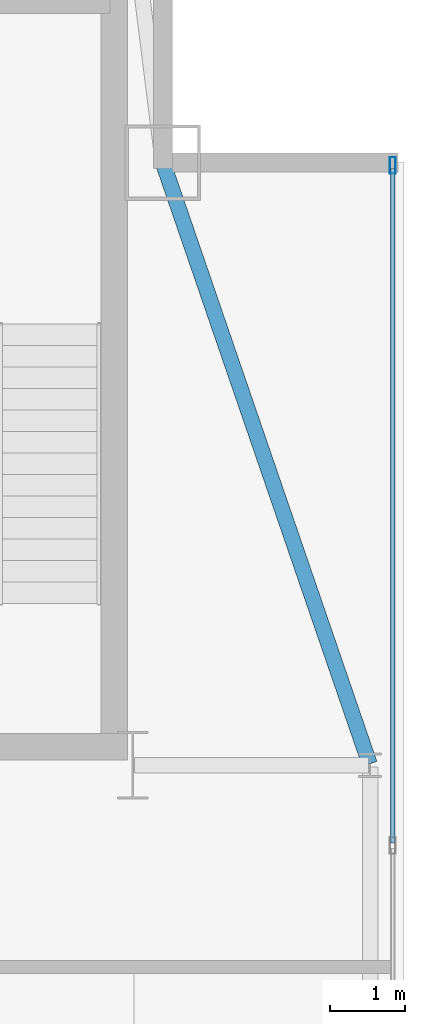
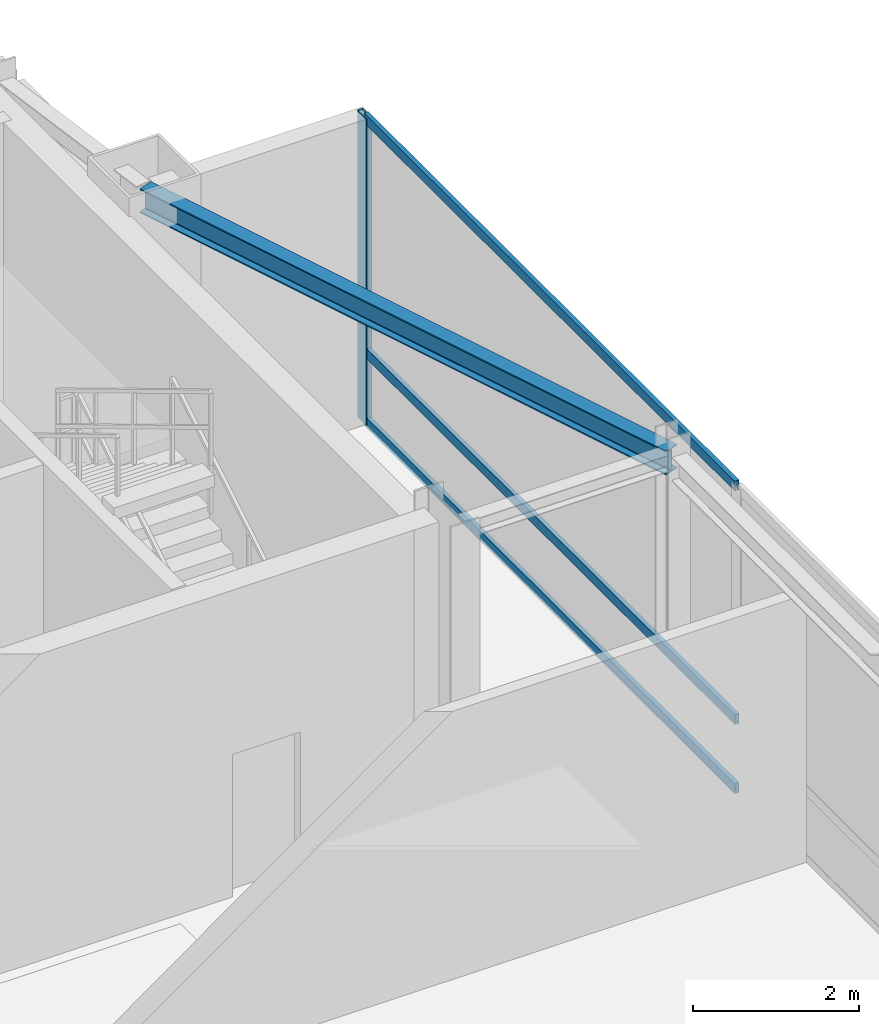
# One storey, part 16 of 21: 4 members, 1 beam, 1 element without a shape of its own.
"""IFC4 building model written with IfcOpenShell, lengths in metres."""

from ifc_helpers import new_model, si_unit, direction, frame, origin, origin_2d, place, context, subcontext, project, spatial, hollow_rectangle, i_section, extrude, source, transform, mapped, material, layer, layer_set, material_profile, profile_set, type_object, type_shapes, element, aggregate, save


model = new_model("IFC4")

# Units and contexts
model_context = context("Model", 3, precision=1e-05, world=origin(), true_north=direction((0.0, 1.0)))
body_context = subcontext(model_context, "Body", "Model", "MODEL_VIEW")
ifc_project = project(units=[si_unit("LENGTHUNIT", "METRE"), si_unit("AREAUNIT", "SQUARE_METRE"), si_unit("VOLUMEUNIT", "CUBIC_METRE"), si_unit("PLANEANGLEUNIT", "RADIAN"), si_unit("MASSUNIT", "GRAM", prefix="KILO")], contexts=[model_context])

# Site, building, storey
site_placement = place(None, origin())
site = spatial("IfcSite", under=ifc_project, at=site_placement, CompositionType="ELEMENT")
building_placement = place(site_placement, origin())
building = spatial("IfcBuilding", under=site, at=building_placement, Name="Varnel Quay Broadcast Tower", CompositionType="ELEMENT")
storey_placement = place(building_placement, frame((0.0, 0.0, 300.199951171875)))
storey = spatial("IfcBuildingStorey", under=building, at=storey_placement, Name="L75", CompositionType="ELEMENT", Elevation=300.199951171875)

# Beam
ifc_material_1 = material(Name="Structural Steel CSA G40.21 350W", Category="steel")
ifc_material_profile_1 = material_profile(ifc_material_1, i_section(OverallWidth=0.205078125, OverallDepth=0.35400390625, WebThickness=0.009521484375, FlangeThickness=0.016845703125, FilletRadius=0.012939453125, at=origin_2d()), Name="W360X79")
ifc_profile_set_1 = profile_set([ifc_material_profile_1], Name="Structural Steel CSA G40.21 350W")
beam_type = type_object("IfcBeamType", Name="Beam_W360X79", PredefinedType="SPANDREL", material=ifc_profile_set_1)
shared_shape_1 = source(origin(), body_context, "Body", "SweptSolid", [
    extrude(i_section(OverallWidth=0.205078125, OverallDepth=0.35400390625, WebThickness=0.009521484375, FlangeThickness=0.016845703125, FilletRadius=0.012939453125, at=origin_2d()), origin(), (0.0, 0.0, 1.0), 8.41943359375),
])
type_shapes(beam_type, [shared_shape_1])
beam_placement = place(storey_placement, frame((55.54345703125, 35.618896484375, 4.343017578125), z_axis=(-0.325087062108, 0.945684092099, 0.0), x_axis=(-0.945684092099, -0.325087062108, 0.0)))
element("IfcBeam", 1, at=beam_placement, inside=storey, type_object=beam_type, Name="L75 East Spandrel TC-E2-MC-NE", PredefinedType="SPANDREL", context=body_context, shape_type="MappedRepresentation", body=[
    mapped(shared_shape_1, transform((0.0, 0.0, 0.0), x_axis=(1.0, 0.0, 0.0), y_axis=(0.0, 1.0, 0.0), z_axis=(0.0, 0.0, 1.0), scale=1.0)),
])

# Curtain wall, members
ifc_material_2 = material(Name="Anodised Bronze Aluminium 6063-T6", Category="aluminium")
ifc_layer = layer(ifc_material_2, 0.18994140625, Name="Anodised Bronze Aluminium 6063-T6")
ifc_layer_set = layer_set([ifc_layer], Name="Anodised Bronze Aluminium 6063-T6")
curtain_wall_type = type_object("IfcCurtainWallType", Name="CW_SkyObsHighVis", PredefinedType="NOTDEFINED", material=ifc_layer_set)
curtain_wall_placement = place(storey_placement, origin())
curtain_wall = element("IfcCurtainWall", 2, at=curtain_wall_placement, inside=storey, type_object=curtain_wall_type, Name="L75 East Unitised Curtain Wall", PredefinedType="NOTDEFINED")
ifc_material_profile_2 = material_profile(ifc_material_2, hollow_rectangle(XDim=0.074951171875, YDim=0.219970703125, WallThickness=0.00390625, at=origin_2d()), Name="ALU75X220X4")
ifc_profile_set_2 = profile_set([ifc_material_profile_2], Name="Anodised Bronze Aluminium 6063-T6")
member_type_1 = type_object("IfcMemberType", Name="Mull_CWS-05", PredefinedType="MULLION", material=ifc_profile_set_2)
shared_shape_2 = source(origin(), body_context, "Body", "SweptSolid", [
    extrude(hollow_rectangle(XDim=0.074951171875, YDim=0.219970703125, WallThickness=0.00390625, at=origin_2d()), origin(), (0.0, 0.0, 1.0), 4.52001953125),
])
type_shapes(member_type_1, [shared_shape_2])
member_1_placement = place(storey_placement, frame((55.85009765625, 43.5625, 0.0), z_axis=(0.0, 0.0, 1.0), x_axis=(-1.0, 0.0, 0.0)))
member_1 = element("IfcMember", 3, at=member_1_placement, type_object=member_type_1, Name="CWS-05 mullion 4", PredefinedType="MULLION", context=body_context, shape_type="MappedRepresentation", body=[
    mapped(shared_shape_2, transform((0.0, 0.0, 0.0), x_axis=(1.0, 0.0, 0.0), y_axis=(0.0, 1.0, 0.0), z_axis=(0.0, 0.0, 1.0), scale=1.0)),
])
ifc_material_profile_3 = material_profile(ifc_material_2, hollow_rectangle(XDim=0.06005859375, YDim=0.14501953125, WallThickness=0.00341796875, at=origin_2d()), Name="ALU60X145X3.5")
ifc_profile_set_3 = profile_set([ifc_material_profile_3], Name="Anodised Bronze Aluminium 6063-T6")
member_type_2 = type_object("IfcMemberType", Name="Tran_CWS-05", PredefinedType="USERDEFINED", material=ifc_profile_set_3)
shared_shape_3 = source(origin(), body_context, "Body", "SweptSolid", [
    extrude(hollow_rectangle(XDim=0.06005859375, YDim=0.14501953125, WallThickness=0.00341796875, at=origin_2d()), origin(), (0.0, 0.0, 1.0), 8.9541015625),
])
type_shapes(member_type_2, [shared_shape_3])
member_2_placement = place(storey_placement, frame((55.85009765625, 34.57080078125, 0.030029296875), z_axis=(0.0, 1.0, 0.0), x_axis=(-1.0, 0.0, 0.0)))
member_2 = element("IfcMember", 4, at=member_2_placement, type_object=member_type_2, Name="CWS-05 transom 3.1", ObjectType="TRANSOM", PredefinedType="USERDEFINED", context=body_context, shape_type="MappedRepresentation", body=[
    mapped(shared_shape_3, transform((0.0, 0.0, 0.0), x_axis=(1.0, 0.0, 0.0), y_axis=(0.0, 1.0, 0.0), z_axis=(0.0, 0.0, 1.0), scale=1.0)),
])
member_3_placement = place(storey_placement, frame((55.85009765625, 34.57080078125, 1.050048828125), z_axis=(0.0, 1.0, 0.0), x_axis=(-1.0, 0.0, 0.0)))
member_3 = element("IfcMember", 5, at=member_3_placement, type_object=member_type_2, Name="CWS-05 transom 3.2", ObjectType="TRANSOM", PredefinedType="USERDEFINED", context=body_context, shape_type="MappedRepresentation", body=[
    mapped(shared_shape_3, transform((0.0, 0.0, 0.0), x_axis=(1.0, 0.0, 0.0), y_axis=(0.0, 1.0, 0.0), z_axis=(0.0, 0.0, 1.0), scale=1.0)),
])
member_4_placement = place(storey_placement, frame((55.85009765625, 34.57080078125, 4.489990234375), z_axis=(0.0, 1.0, 0.0), x_axis=(-1.0, 0.0, 0.0)))
member_4 = element("IfcMember", 6, at=member_4_placement, type_object=member_type_2, Name="CWS-05 transom 3.3", ObjectType="TRANSOM", PredefinedType="USERDEFINED", context=body_context, shape_type="MappedRepresentation", body=[
    mapped(shared_shape_3, transform((0.0, 0.0, 0.0), x_axis=(1.0, 0.0, 0.0), y_axis=(0.0, 1.0, 0.0), z_axis=(0.0, 0.0, 1.0), scale=1.0)),
])
aggregate(curtain_wall, [member_1, member_2, member_3, member_4])

save(model, "model.ifc")
